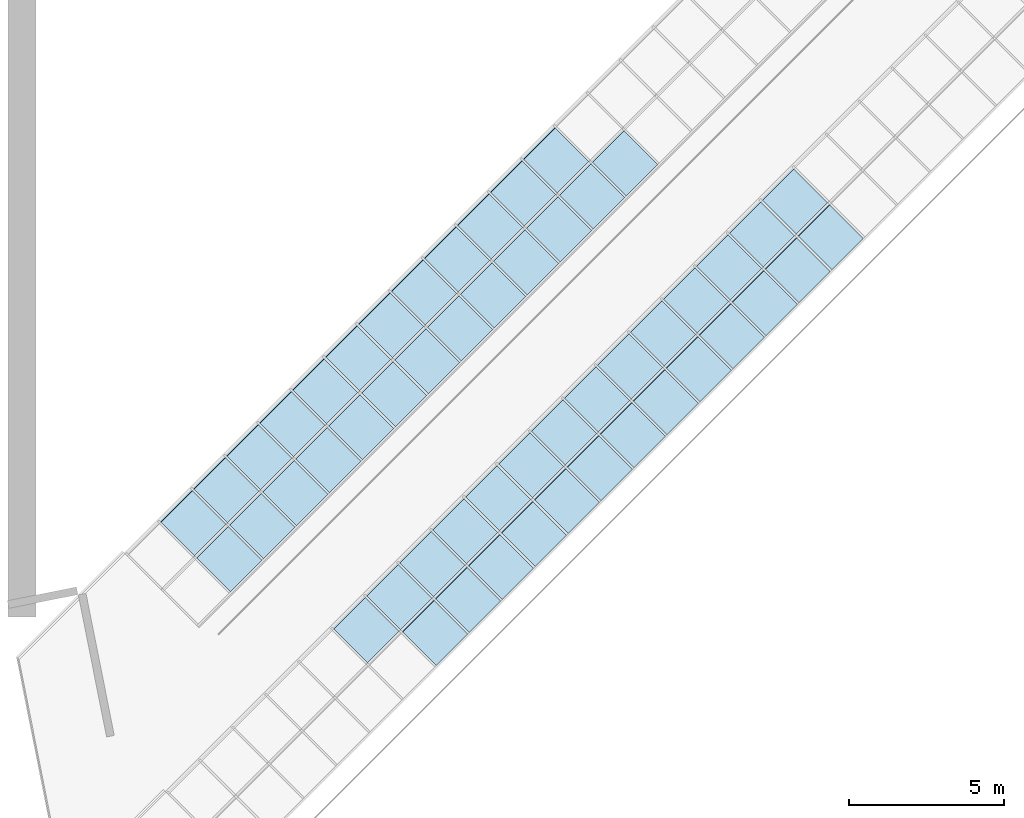
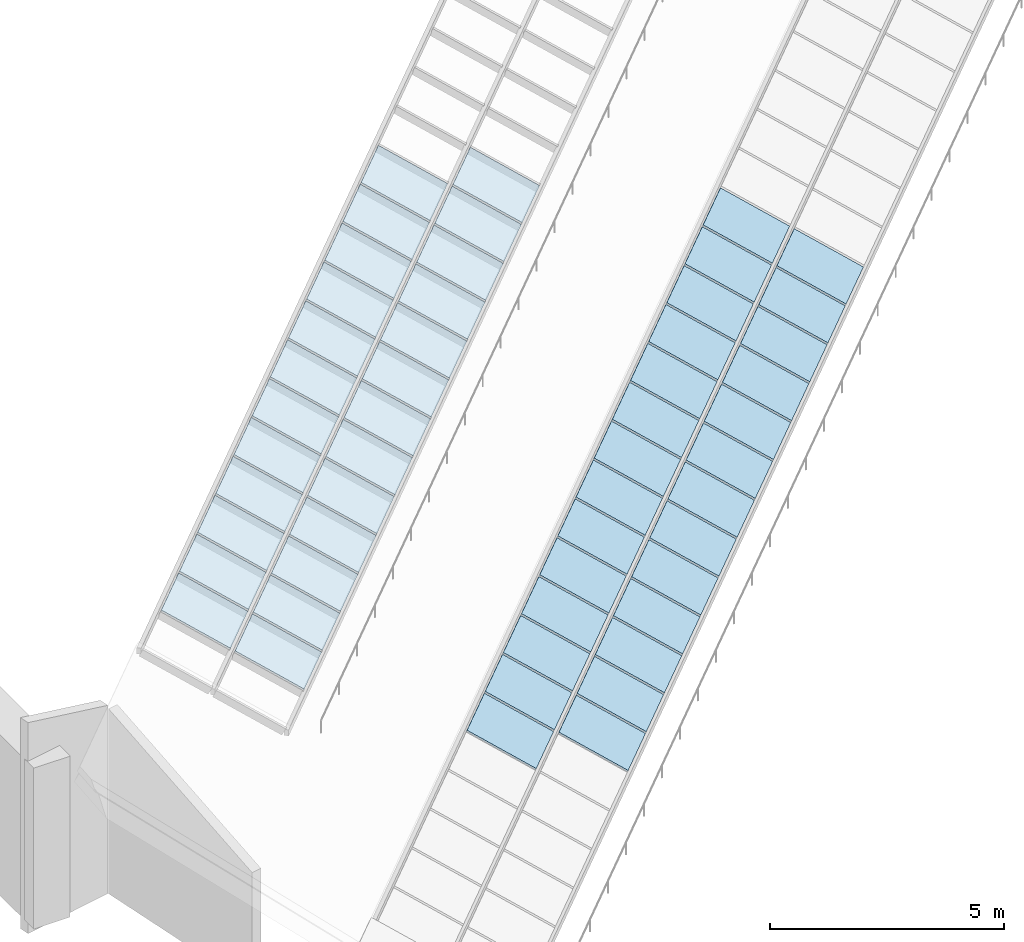
# One storey, part 4 of 7: 52 plates, 2 elements without a shape of their own.
"""IFC4 building model written with IfcOpenShell, lengths in metres."""

import ifcopenshell
import ifcopenshell.guid

model = None  # the IFC model being written
_history = None  # IfcOwnerHistory: only IFC2X3 demands one
_inside = {}  # id of a spatial element -> (the spatial element, [elements in it])
_under = {}  # id of a project, library or spatial element -> (it, [spatial elements below it])
_declared = {}  # id of a project -> (the project, [libraries it declares])
_typed = {}  # id of a type object -> (the type object, [elements of that type])
_made_of = {}  # id of a material, layer set ... -> (it, [elements and type objects made of it])


def new_model(schema):
    """Start an empty IFC model of exactly this schema.

    Asked for "IFC4X3", IfcOpenShell would pick the latest addendum, in which some entities
    have other attributes; the version numbers below select the first issue.
    IFC2X3 requires an IfcOwnerHistory on every rooted entity: one is made here for all.
    """
    global model, _history
    if schema == "IFC4X3":
        model = ifcopenshell.file(schema_version=(4, 3, 0, 0))
    else:
        model = ifcopenshell.file(schema=schema)
    _inside.clear()
    _under.clear()
    _declared.clear()
    _typed.clear()
    _made_of.clear()
    _history = None
    if model.schema == "IFC2X3":
        org = make("IfcOrganization", Name="unknown")
        user = make(
            "IfcPersonAndOrganization",
            ThePerson=make("IfcPerson", FamilyName="unknown"),
            TheOrganization=org,
        )
        app = make(
            "IfcApplication",
            ApplicationDeveloper=org,
            Version="unknown",
            ApplicationFullName="unknown",
            ApplicationIdentifier="unknown",
        )
        _history = make(
            "IfcOwnerHistory",
            OwningUser=user,
            OwningApplication=app,
            ChangeAction="ADDED",
            CreationDate=0,
        )
    return model


def make(cls, **values):
    """One entity of the class cls with the attributes given. An attribute that is None is left unset."""
    return model.create_entity(
        cls, **{name: value for name, value in values.items() if value is not None}
    )


def rooted(cls, **values):
    """An entity with a GlobalId (a new one), such as an element, a storey or a relation."""
    return make(cls, GlobalId=ifcopenshell.guid.new(), OwnerHistory=_history, **values)


def si_unit(unit_type, name, prefix=None):
    """IfcSIUnit, for example si_unit("LENGTHUNIT", "METRE", prefix="MILLI")."""
    return make("IfcSIUnit", UnitType=unit_type, Prefix=prefix, Name=name)


def assignment(units):
    """IfcUnitAssignment: the units of a project."""
    return None if units is None else make("IfcUnitAssignment", Units=units)


def point(xyz):
    """IfcCartesianPoint."""
    return None if xyz is None else make("IfcCartesianPoint", Coordinates=xyz)


def direction(xyz):
    """IfcDirection."""
    return None if xyz is None else make("IfcDirection", DirectionRatios=xyz)


def frame(location, z_axis=None, x_axis=None):
    """IfcAxis2Placement3D, a coordinate frame: its origin and axes. An axis left out is left unset."""
    return make(
        "IfcAxis2Placement3D",
        Location=point(location),
        Axis=direction(z_axis),
        RefDirection=direction(x_axis),
    )


def origin():
    """The frame at (0, 0, 0) with its axes left unset."""
    return frame((0.0, 0.0, 0.0))


def place(relative_to, where):
    """IfcLocalPlacement: puts the frame where relative to a parent placement (None: the world)."""
    return make(
        "IfcLocalPlacement", PlacementRelTo=relative_to, RelativePlacement=where
    )


def context(
    kind, dimensions, precision=None, world=None, true_north=None, identifier=None
):
    """IfcGeometricRepresentationContext, for example the 3D "Model" context."""
    return make(
        "IfcGeometricRepresentationContext",
        ContextIdentifier=identifier,
        ContextType=kind,
        CoordinateSpaceDimension=dimensions,
        Precision=precision,
        WorldCoordinateSystem=world,
        TrueNorth=true_north,
    )


def subcontext(parent, identifier, kind, view, scale=None):
    """IfcGeometricRepresentationSubContext, for example "Body" below "Model"."""
    return make(
        "IfcGeometricRepresentationSubContext",
        ContextIdentifier=identifier,
        ContextType=kind,
        ParentContext=parent,
        TargetScale=scale,
        TargetView=view,
    )


def project(units=None, contexts=None):
    """IfcProject with its units and contexts."""
    return rooted(
        "IfcProject",
        Name="project",
        RepresentationContexts=contexts,
        UnitsInContext=assignment(units),
    )


def spatial(cls, under=None, at=None, **own):
    """A site, building, storey or space (cls), placed at a placement, below another one or the project."""
    s = rooted(cls, ObjectPlacement=at, **own)
    if under is not None:
        _under.setdefault(under.id(), (under, []))[1].append(s)
    return s


def polyline(points):
    """IfcPolyline through the points."""
    return make("IfcPolyline", Points=[point(p) for p in points])


def outline(outer, holes=None, kind="AREA"):
    """IfcArbitraryClosedProfileDef: a profile drawn as a closed curve; with holes, ...WithVoids."""
    if holes is None:
        return make("IfcArbitraryClosedProfileDef", ProfileType=kind, OuterCurve=outer)
    return make(
        "IfcArbitraryProfileDefWithVoids",
        ProfileType=kind,
        OuterCurve=outer,
        InnerCurves=holes,
    )


def extrude(swept, where, along, depth):
    """IfcExtrudedAreaSolid: the profile swept, set in the frame where, extruded along a direction by depth."""
    return make(
        "IfcExtrudedAreaSolid",
        SweptArea=swept,
        Position=where,
        ExtrudedDirection=direction(along),
        Depth=depth,
    )


def shape(context_of_items, identifier, shape_type, items):
    """IfcShapeRepresentation: the items that make up one representation, for example the "Body"."""
    return make(
        "IfcShapeRepresentation",
        ContextOfItems=context_of_items,
        RepresentationIdentifier=identifier,
        RepresentationType=shape_type,
        Items=items,
    )


def material(Name=None, Category=None):
    """IfcMaterial."""
    return make("IfcMaterial", Name=Name, Category=Category)


def layer(
    of_material, thickness, ventilated=None, Name=None, Category=None, Priority=None
):
    """IfcMaterialLayer: one layer of a wall or slab, of a material (None: an air gap)."""
    return make(
        "IfcMaterialLayer",
        Material=of_material,
        LayerThickness=thickness,
        IsVentilated=ventilated,
        Name=Name,
        Category=Category,
        Priority=Priority,
    )


def layer_set(layers, Name=None):
    """IfcMaterialLayerSet."""
    return make("IfcMaterialLayerSet", MaterialLayers=layers, LayerSetName=Name)


def made_of(thing, what):
    """Note that an element or type object is made of a material, layer set ...; save() writes the relation."""
    if what is not None:
        _made_of.setdefault(what.id(), (what, []))[1].append(thing)
    return thing


def type_object(cls, material=None, **own):
    """A type object (cls), such as IfcWallType, which elements share."""
    return made_of(rooted(cls, **own), material)


def element(
    cls,
    number,
    at=None,
    inside=None,
    cuts=None,
    type_object=None,
    material=None,
    context=None,
    identifier="Body",
    shape_type=None,
    held_by="IfcProductDefinitionShape",
    body=None,
    shapes=None,
    **own,
):
    """One element of the class cls, such as IfcWall. Its Tag is "e" and its number.

    at: its placement. inside: the storey or other place that contains it. cuts: it is an
    opening in that element (IfcRelVoidsElement). A single representation is given by context,
    identifier, shape_type and body (its items); several are given by shapes. held_by: the class
    of the entity that holds the representations. save() writes the other relations.
    """
    e = rooted(cls, Tag="e%d" % number, ObjectPlacement=at, **own)
    if body is not None:
        shapes = [shape(context, identifier, shape_type, body)]
    if shapes is not None:
        e.Representation = make(held_by, Representations=shapes)
    if inside is not None:
        _inside.setdefault(inside.id(), (inside, []))[1].append(e)
    if cuts is not None:
        rooted(
            "IfcRelVoidsElement", RelatingBuildingElement=cuts, RelatedOpeningElement=e
        )
    if type_object is not None:
        _typed.setdefault(type_object.id(), (type_object, []))[1].append(e)
    return made_of(e, material)


def aggregate(whole, parts):
    """IfcRelAggregates: a whole, such as a stair, and the parts it consists of."""
    return rooted("IfcRelAggregates", RelatingObject=whole, RelatedObjects=parts)


def save(model, path):
    """Write the relations noted so far, then the file.

    IfcRelAggregates (storeys below a building ...), IfcRelContainedInSpatialStructure (elements
    in a storey), IfcRelDefinesByType, IfcRelAssociatesMaterial and IfcRelDeclares: one each for
    every whole, place, type object, material and project.
    """
    for whole, parts in _under.values():
        aggregate(whole, parts)
    for where, things in _inside.values():
        rooted(
            "IfcRelContainedInSpatialStructure",
            RelatedElements=things,
            RelatingStructure=where,
        )
    for kind, things in _typed.values():
        rooted("IfcRelDefinesByType", RelatedObjects=things, RelatingType=kind)
    for what, things in _made_of.values():
        rooted("IfcRelAssociatesMaterial", RelatedObjects=things, RelatingMaterial=what)
    for by, libraries in _declared.values():
        rooted("IfcRelDeclares", RelatingContext=by, RelatedDefinitions=libraries)
    model.write(path)


model = new_model("IFC4")

# Units and contexts
model_context = context("Model", 3, precision=1e-05, world=origin(), true_north=direction((0.0, 1.0)))
body_context = subcontext(model_context, "Body", "Model", "MODEL_VIEW")
ifc_project = project(units=[si_unit("LENGTHUNIT", "METRE"), si_unit("AREAUNIT", "SQUARE_METRE"), si_unit("VOLUMEUNIT", "CUBIC_METRE"), si_unit("PLANEANGLEUNIT", "RADIAN"), si_unit("MASSUNIT", "GRAM", prefix="KILO")], contexts=[model_context])

# Site, building, storey
site_placement = place(None, origin())
site = spatial("IfcSite", under=ifc_project, at=site_placement, CompositionType="ELEMENT")
building_placement = place(site_placement, origin())
building = spatial("IfcBuilding", under=site, at=building_placement, Name="Hunhe Ridgeline Campus", CompositionType="ELEMENT")
storey_placement = place(building_placement, frame((0.0, 0.0, 315.60009765625)))
storey = spatial("IfcBuildingStorey", under=building, at=storey_placement, Name="L81 Crown", CompositionType="ELEMENT", Elevation=315.60009765625)

# Curtain wall, plates
ifc_material_1 = material(Name="Aluminium 6063", Category="aluminium")
curtain_wall_type = type_object("IfcCurtainWallType", Name="Curtain wall CW-6", PredefinedType="NOTDEFINED", material=ifc_material_1)
curtain_wall_1_placement = place(storey_placement, origin())
curtain_wall_1 = element("IfcCurtainWall", 1, at=curtain_wall_1_placement, inside=storey, type_object=curtain_wall_type, Name="Rooflight 3", PredefinedType="NOTDEFINED")
ifc_material_2 = material(Name="Low-e laminated glass", Category="glass")
ifc_layer = layer(ifc_material_2, 0.0400390625)
ifc_layer_set = layer_set([ifc_layer], Name="Rooflight glass panel 40 low-e laminated")
plate_type = type_object("IfcPlateType", Name="Rooflight glass panel 40 low-e laminated", PredefinedType="CURTAIN_PANEL", material=ifc_layer_set)
plate_1_placement = place(storey_placement, frame((27.512939453125, 65.775634765625, 0.261474609375), z_axis=(0.301479245877, -0.301515643227, 0.90454329979), x_axis=(-0.639608700975, 0.639608701766, 0.426381775248)))
plate_1 = element("IfcPlate", 2, at=plate_1_placement, type_object=plate_type, Name="Rooflight panel 1.23", PredefinedType="CURTAIN_PANEL", context=body_context, shape_type="SweptSolid", body=[
    extrude(outline(polyline([(0.0, 0.0), (1.6936340105324015, -2.110128478199913e-17), (1.6937901642007342, 1.4299232115205895), (-7.998715023660452e-10, 1.4300958431175164), (0.0, 0.0)])), origin(), (0.0, 0.0, -1.0), 0.0400390625),
])
plate_2_placement = place(storey_placement, frame((26.4521484375, 64.715087890625, 0.261474609375), z_axis=(0.301547745403, -0.301474942954, 0.904534032535), x_axis=(-0.639602149067, 0.639602149067, 0.426401432711)))
plate_2 = element("IfcPlate", 3, at=plate_2_placement, type_object=plate_type, Name="Rooflight panel 1.24", PredefinedType="CURTAIN_PANEL", context=body_context, shape_type="SweptSolid", body=[
    extrude(outline(polyline([(0.0, 0.0), (1.6936340109323371, 3.6469850576981155e-17), (1.6934778580639125, 1.4299232119943703), (-0.00015615286842451948, 1.4299232119943701), (0.0, 0.0)])), origin(), (0.0, 0.0, -1.0), 0.0400390625),
])
plate_3_placement = place(storey_placement, frame((25.3916015625, 63.654296875, 0.261474609375), z_axis=(0.301474942954, -0.301547745403, 0.904534032535), x_axis=(-0.639602149067, 0.639602149067, 0.426401432711)))
plate_3 = element("IfcPlate", 4, at=plate_3_placement, type_object=plate_type, Name="Rooflight panel 1.25", PredefinedType="CURTAIN_PANEL", context=body_context, shape_type="SweptSolid", body=[
    extrude(outline(polyline([(0.0, 0.0), (1.6936340109323371, -3.6469850576981155e-17), (1.6937901638007615, 1.4299232119943701), (0.00015615286842451948, 1.4299232119943701), (0.0, 0.0)])), origin(), (0.0, 0.0, -1.0), 0.0400390625),
])
plate_4_placement = place(storey_placement, frame((24.3310546875, 62.59375, 0.261474609375), z_axis=(0.301515643227, -0.301479245877, 0.90454329979), x_axis=(-0.639680766185, 0.639536628329, 0.426381775406)))
plate_4 = element("IfcPlate", 5, at=plate_4_placement, type_object=plate_type, Name="Rooflight panel 1.26", PredefinedType="CURTAIN_PANEL", context=body_context, shape_type="SweptSolid", body=[
    extrude(outline(polyline([(0.0, 0.0), (1.6937901737979375, 9.269928574751063e-17), (1.6937797583282785, 1.4299232200089778), (0.0001457565923979054, 1.430095835689698), (0.0, 0.0)])), origin(), (0.0, 0.0, -1.0), 0.0400390625),
])
plate_5_placement = place(storey_placement, frame((23.270263671875, 61.532958984375, 0.261474609375), z_axis=(0.301474942954, -0.301547745403, 0.904534032535), x_axis=(-0.639602149067, 0.639602149067, 0.426401432711)))
plate_5 = element("IfcPlate", 6, at=plate_5_placement, type_object=plate_type, Name="Rooflight panel 1.27", PredefinedType="CURTAIN_PANEL", context=body_context, shape_type="SweptSolid", body=[
    extrude(outline(polyline([(0.0, 0.0), (1.6936340109323371, -3.6469850576981155e-17), (1.6937901638007615, 1.4299232119943701), (0.00015615286842451948, 1.4299232119943701), (0.0, 0.0)])), origin(), (0.0, 0.0, -1.0), 0.0400390625),
])
plate_6_placement = place(storey_placement, frame((22.209716796875, 60.472412109375, 0.261474609375), z_axis=(0.301511344578, -0.301511344578, 0.904534033733), x_axis=(-0.639602149067, 0.639602149067, 0.426401432711)))
plate_6 = element("IfcPlate", 7, at=plate_6_placement, type_object=plate_type, Name="Rooflight panel 1.28", PredefinedType="CURTAIN_PANEL", context=body_context, shape_type="SweptSolid", body=[
    extrude(outline(polyline([(0.0, 0.0), (1.6936340109323371, 0.0), (1.693634010932337, 1.4300958435911524), (0.0, 1.4300958435911524), (0.0, 0.0)])), origin(), (0.0, 0.0, -1.0), 0.0400390625),
])
plate_7_placement = place(storey_placement, frame((21.14892578125, 59.41162109375, 0.261474609375), z_axis=(0.301474942954, -0.301547745403, 0.904534032535), x_axis=(-0.639602149067, 0.639602149067, 0.426401432711)))
plate_7 = element("IfcPlate", 8, at=plate_7_placement, type_object=plate_type, Name="Rooflight panel 1.29", PredefinedType="CURTAIN_PANEL", context=body_context, shape_type="SweptSolid", body=[
    extrude(outline(polyline([(0.0, 0.0), (1.6936340109323371, -3.6469850576981155e-17), (1.6937901638007615, 1.4299232119943701), (0.00015615286842451948, 1.4299232119943701), (0.0, 0.0)])), origin(), (0.0, 0.0, -1.0), 0.0400390625),
])
plate_8_placement = place(storey_placement, frame((20.08837890625, 58.35107421875, 0.261474609375), z_axis=(0.301511344578, -0.301511344578, 0.904534033733), x_axis=(-0.639602149067, 0.639602149067, 0.426401432711)))
plate_8 = element("IfcPlate", 9, at=plate_8_placement, type_object=plate_type, Name="Rooflight panel 1.30", PredefinedType="CURTAIN_PANEL", context=body_context, shape_type="SweptSolid", body=[
    extrude(outline(polyline([(0.0, 0.0), (1.6936340109323371, 0.0), (1.693634010932337, 1.4300958435911524), (0.0, 1.4300958435911524), (0.0, 0.0)])), origin(), (0.0, 0.0, -1.0), 0.0400390625),
])
plate_9_placement = place(storey_placement, frame((19.027587890625, 57.290283203125, 0.261474609375), z_axis=(0.301483547543, -0.301483547543, 0.904552564046), x_axis=(-0.63954317933, 0.639687317978, 0.426362119554)))
plate_9 = element("IfcPlate", 10, at=plate_9_placement, type_object=plate_type, Name="Rooflight panel 1.31", PredefinedType="CURTAIN_PANEL", context=body_context, shape_type="SweptSolid", body=[
    extrude(outline(polyline([(0.0, 0.0), (1.6937901741978365, -3.077778917143226e-17), (1.6936444168056752, 1.4300958361632525), (-0.00014572220206188202, 1.4297505691820445), (0.0, 0.0)])), origin(), (0.0, 0.0, -1.0), 0.0400390625),
])
plate_10_placement = place(storey_placement, frame((17.967041015625, 56.229736328125, 0.261474609375), z_axis=(0.301511344578, -0.301511344578, 0.904534033733), x_axis=(-0.639602149067, 0.639602149067, 0.426401432711)))
plate_10 = element("IfcPlate", 11, at=plate_10_placement, type_object=plate_type, Name="Rooflight panel 1.32", PredefinedType="CURTAIN_PANEL", context=body_context, shape_type="SweptSolid", body=[
    extrude(outline(polyline([(0.0, 0.0), (1.6936340109323371, 0.0), (1.693634010932337, 1.4300958435911524), (0.0, 1.4300958435911524), (0.0, 0.0)])), origin(), (0.0, 0.0, -1.0), 0.0400390625),
])
plate_11_placement = place(storey_placement, frame((16.90625, 55.169189453125, 0.261474609375), z_axis=(0.301547745403, -0.301474942954, 0.904534032535), x_axis=(-0.639602149067, 0.639602149067, 0.426401432711)))
plate_11 = element("IfcPlate", 12, at=plate_11_placement, type_object=plate_type, Name="Rooflight panel 1.33", PredefinedType="CURTAIN_PANEL", context=body_context, shape_type="SweptSolid", body=[
    extrude(outline(polyline([(0.0, 0.0), (1.6936340109323371, 3.6469850576981155e-17), (1.6934778580639125, 1.4299232119943703), (-0.00015615286842451948, 1.4299232119943701), (0.0, 0.0)])), origin(), (0.0, 0.0, -1.0), 0.0400390625),
])
plate_12_placement = place(storey_placement, frame((15.845703125, 54.1083984375, 0.261474609375), z_axis=(0.301511344578, -0.301511344578, 0.904534033733), x_axis=(-0.639602149067, 0.639602149067, 0.426401432711)))
plate_12 = element("IfcPlate", 13, at=plate_12_placement, type_object=plate_type, Name="Rooflight panel 1.34", PredefinedType="CURTAIN_PANEL", context=body_context, shape_type="SweptSolid", body=[
    extrude(outline(polyline([(0.0, 0.0), (1.6936340109323371, 0.0), (1.693634010932337, 1.4300958435911524), (0.0, 1.4300958435911524), (0.0, 0.0)])), origin(), (0.0, 0.0, -1.0), 0.0400390625),
])
plate_13_placement = place(storey_placement, frame((14.784912109375, 53.0478515625, 0.261474609375), z_axis=(0.301547745403, -0.301474942954, 0.904534032535), x_axis=(-0.639602149067, 0.639602149067, 0.426401432711)))
plate_13 = element("IfcPlate", 14, at=plate_13_placement, type_object=plate_type, Name="Rooflight panel 1.35", PredefinedType="CURTAIN_PANEL", context=body_context, shape_type="SweptSolid", body=[
    extrude(outline(polyline([(0.0, 0.0), (1.6936340109323371, 3.6469850576981155e-17), (1.6934778580639125, 1.4299232119943703), (-0.00015615286842451948, 1.4299232119943701), (0.0, 0.0)])), origin(), (0.0, 0.0, -1.0), 0.0400390625),
])
plate_14_placement = place(storey_placement, frame((26.35888671875, 66.9296875, 1.03076171875), z_axis=(0.301515643227, -0.301479245877, 0.90454329979), x_axis=(-0.639608701766, 0.639608700975, 0.426381775248)))
plate_14 = element("IfcPlate", 15, at=plate_14_placement, type_object=plate_type, Name="Rooflight panel 2.23", PredefinedType="CURTAIN_PANEL", context=body_context, shape_type="SweptSolid", body=[
    extrude(outline(polyline([(0.0, 0.0), (1.6936340105324015, 2.110128478199913e-17), (1.6936340113322728, 1.4300958431175164), (-0.00015615366833288125, 1.4299232115205898), (0.0, 0.0)])), origin(), (0.0, 0.0, -1.0), 0.0400390625),
])
plate_15_placement = place(storey_placement, frame((25.29833984375, 65.868896484375, 1.03076171875), z_axis=(0.301474942954, -0.301547745403, 0.904534032535), x_axis=(-0.639602149067, 0.639602149067, 0.426401432711)))
plate_15 = element("IfcPlate", 16, at=plate_15_placement, type_object=plate_type, Name="Rooflight panel 2.24", PredefinedType="CURTAIN_PANEL", context=body_context, shape_type="SweptSolid", body=[
    extrude(outline(polyline([(0.0, 0.0), (1.6936340109323371, -3.6469850576981155e-17), (1.6937901638007615, 1.4299232119943701), (0.00015615286842451948, 1.4299232119943701), (0.0, 0.0)])), origin(), (0.0, 0.0, -1.0), 0.0400390625),
])
plate_16_placement = place(storey_placement, frame((24.237548828125, 64.808349609375, 1.03076171875), z_axis=(0.301547745403, -0.301474942954, 0.904534032535), x_axis=(-0.639602149067, 0.639602149067, 0.426401432711)))
plate_16 = element("IfcPlate", 17, at=plate_16_placement, type_object=plate_type, Name="Rooflight panel 2.25", PredefinedType="CURTAIN_PANEL", context=body_context, shape_type="SweptSolid", body=[
    extrude(outline(polyline([(0.0, 0.0), (1.6936340109323371, 3.6469850576981155e-17), (1.6934778580639125, 1.4299232119943703), (-0.00015615286842451948, 1.4299232119943701), (0.0, 0.0)])), origin(), (0.0, 0.0, -1.0), 0.0400390625),
])
plate_17_placement = place(storey_placement, frame((23.177001953125, 63.74755859375, 1.03076171875), z_axis=(0.301479245877, -0.301515643227, 0.90454329979), x_axis=(-0.639536628329, 0.639680766185, 0.426381775406)))
plate_17 = element("IfcPlate", 18, at=plate_17_placement, type_object=plate_type, Name="Rooflight panel 2.26", PredefinedType="CURTAIN_PANEL", context=body_context, shape_type="SweptSolid", body=[
    extrude(outline(polyline([(0.0, 0.0), (1.6937901737979375, -9.269928574751063e-17), (1.6936444172055396, 1.4300958356896978), (1.041546965907525e-05, 1.4299232200089778), (0.0, 0.0)])), origin(), (0.0, 0.0, -1.0), 0.0400390625),
])
plate_18_placement = place(storey_placement, frame((22.1162109375, 62.68701171875, 1.03076171875), z_axis=(0.301547745403, -0.301474942954, 0.904534032535), x_axis=(-0.639602149067, 0.639602149067, 0.426401432711)))
plate_18 = element("IfcPlate", 19, at=plate_18_placement, type_object=plate_type, Name="Rooflight panel 2.27", PredefinedType="CURTAIN_PANEL", context=body_context, shape_type="SweptSolid", body=[
    extrude(outline(polyline([(0.0, 0.0), (1.6936340109323371, 3.6469850576981155e-17), (1.6934778580639125, 1.4299232119943703), (-0.00015615286842451948, 1.4299232119943701), (0.0, 0.0)])), origin(), (0.0, 0.0, -1.0), 0.0400390625),
])
plate_19_placement = place(storey_placement, frame((21.0556640625, 61.62646484375, 1.03076171875), z_axis=(0.301511344578, -0.301511344578, 0.904534033733), x_axis=(-0.639602149067, 0.639602149067, 0.426401432711)))
plate_19 = element("IfcPlate", 20, at=plate_19_placement, type_object=plate_type, Name="Rooflight panel 2.28", PredefinedType="CURTAIN_PANEL", context=body_context, shape_type="SweptSolid", body=[
    extrude(outline(polyline([(0.0, 0.0), (1.6936340109323371, 0.0), (1.693634010932337, 1.4300958435911524), (0.0, 1.4300958435911524), (0.0, 0.0)])), origin(), (0.0, 0.0, -1.0), 0.0400390625),
])
plate_20_placement = place(storey_placement, frame((19.994873046875, 60.565673828125, 1.03076171875), z_axis=(0.301547745403, -0.301474942954, 0.904534032535), x_axis=(-0.639602149067, 0.639602149067, 0.426401432711)))
plate_20 = element("IfcPlate", 21, at=plate_20_placement, type_object=plate_type, Name="Rooflight panel 2.29", PredefinedType="CURTAIN_PANEL", context=body_context, shape_type="SweptSolid", body=[
    extrude(outline(polyline([(0.0, 0.0), (1.6936340109323371, 3.6469850576981155e-17), (1.6934778580639125, 1.4299232119943703), (-0.00015615286842451948, 1.4299232119943701), (0.0, 0.0)])), origin(), (0.0, 0.0, -1.0), 0.0400390625),
])
plate_21_placement = place(storey_placement, frame((18.934326171875, 59.505126953125, 1.03076171875), z_axis=(0.301511344578, -0.301511344578, 0.904534033733), x_axis=(-0.639602149067, 0.639602149067, 0.426401432711)))
plate_21 = element("IfcPlate", 22, at=plate_21_placement, type_object=plate_type, Name="Rooflight panel 2.30", PredefinedType="CURTAIN_PANEL", context=body_context, shape_type="SweptSolid", body=[
    extrude(outline(polyline([(0.0, 0.0), (1.6936340109323371, 0.0), (1.693634010932337, 1.4300958435911524), (0.0, 1.4300958435911524), (0.0, 0.0)])), origin(), (0.0, 0.0, -1.0), 0.0400390625),
])
plate_22_placement = place(storey_placement, frame((17.873779296875, 58.4443359375, 1.03076171875), z_axis=(0.301483547543, -0.301483547543, 0.904552564046), x_axis=(-0.639687317978, 0.63954317933, 0.426362119554)))
plate_22 = element("IfcPlate", 23, at=plate_22_placement, type_object=plate_type, Name="Rooflight panel 2.31", PredefinedType="CURTAIN_PANEL", context=body_context, shape_type="SweptSolid", body=[
    extrude(outline(polyline([(0.0, 0.0), (1.6937901741978365, 3.077778917143226e-17), (1.6939358963998983, 1.4297505691820447), (0.00014575739216138306, 1.4300958361632525), (0.0, 0.0)])), origin(), (0.0, 0.0, -1.0), 0.0400390625),
])
plate_23_placement = place(storey_placement, frame((16.81298828125, 57.3837890625, 1.03076171875), z_axis=(0.301511344578, -0.301511344578, 0.904534033733), x_axis=(-0.639602149067, 0.639602149067, 0.426401432711)))
plate_23 = element("IfcPlate", 24, at=plate_23_placement, type_object=plate_type, Name="Rooflight panel 2.32", PredefinedType="CURTAIN_PANEL", context=body_context, shape_type="SweptSolid", body=[
    extrude(outline(polyline([(0.0, 0.0), (1.6936340109323371, 0.0), (1.693634010932337, 1.4300958435911524), (0.0, 1.4300958435911524), (0.0, 0.0)])), origin(), (0.0, 0.0, -1.0), 0.0400390625),
])
plate_24_placement = place(storey_placement, frame((15.75244140625, 56.322998046875, 1.03076171875), z_axis=(0.301474942954, -0.301547745403, 0.904534032535), x_axis=(-0.639602149067, 0.639602149067, 0.426401432711)))
plate_24 = element("IfcPlate", 25, at=plate_24_placement, type_object=plate_type, Name="Rooflight panel 2.33", PredefinedType="CURTAIN_PANEL", context=body_context, shape_type="SweptSolid", body=[
    extrude(outline(polyline([(0.0, 0.0), (1.6936340109323371, -3.6469850576981155e-17), (1.6937901638007615, 1.4299232119943701), (0.00015615286842451948, 1.4299232119943701), (0.0, 0.0)])), origin(), (0.0, 0.0, -1.0), 0.0400390625),
])
plate_25_placement = place(storey_placement, frame((14.691650390625, 55.262451171875, 1.03076171875), z_axis=(0.301511344578, -0.301511344578, 0.904534033733), x_axis=(-0.639602149067, 0.639602149067, 0.426401432711)))
plate_25 = element("IfcPlate", 26, at=plate_25_placement, type_object=plate_type, Name="Rooflight panel 2.34", PredefinedType="CURTAIN_PANEL", context=body_context, shape_type="SweptSolid", body=[
    extrude(outline(polyline([(0.0, 0.0), (1.6936340109323371, 0.0), (1.693634010932337, 1.4300958435911524), (0.0, 1.4300958435911524), (0.0, 0.0)])), origin(), (0.0, 0.0, -1.0), 0.0400390625),
])
plate_26_placement = place(storey_placement, frame((13.631103515625, 54.20166015625, 1.03076171875), z_axis=(0.301474942954, -0.301547745403, 0.904534032535), x_axis=(-0.639602149067, 0.639602149067, 0.426401432711)))
plate_26 = element("IfcPlate", 27, at=plate_26_placement, type_object=plate_type, Name="Rooflight panel 2.35", PredefinedType="CURTAIN_PANEL", context=body_context, shape_type="SweptSolid", body=[
    extrude(outline(polyline([(0.0, 0.0), (1.6936340109323371, -3.6469850576981155e-17), (1.6937901638007615, 1.4299232119943701), (0.00015615286842451948, 1.4299232119943701), (0.0, 0.0)])), origin(), (0.0, 0.0, -1.0), 0.0400390625),
])
plate_27_placement = place(storey_placement, frame((12.5703125, 53.14111328125, 1.03076171875), z_axis=(0.301511344578, -0.301511344578, 0.904534033733), x_axis=(-0.639602149067, 0.639602149067, 0.426401432711)))
plate_27 = element("IfcPlate", 28, at=plate_27_placement, type_object=plate_type, Name="Rooflight panel 2.36", PredefinedType="CURTAIN_PANEL", context=body_context, shape_type="SweptSolid", body=[
    extrude(outline(polyline([(0.0, 0.0), (1.6936340109323371, 0.0), (1.693634010932337, 1.4300958435911524), (0.0, 1.4300958435911524), (0.0, 0.0)])), origin(), (0.0, 0.0, -1.0), 0.0400390625),
])
aggregate(curtain_wall_1, [plate_1, plate_2, plate_3, plate_4, plate_5, plate_6, plate_7, plate_8, plate_9, plate_10, plate_11, plate_12, plate_13, plate_14, plate_15, plate_16, plate_17, plate_18, plate_19, plate_20, plate_21, plate_22, plate_23, plate_24, plate_25, plate_26, plate_27])

curtain_wall_2_placement = place(storey_placement, origin())
curtain_wall_2 = element("IfcCurtainWall", 29, at=curtain_wall_2_placement, inside=storey, type_object=curtain_wall_type, Name="Rooflight 4", PredefinedType="NOTDEFINED")
plate_28_placement = place(storey_placement, frame((20.8916015625, 68.154296875, 3.26171875), z_axis=(0.301474942954, -0.301547745403, 0.904534032535), x_axis=(-0.639602149067, 0.639602149067, 0.426401432711)))
plate_28 = element("IfcPlate", 30, at=plate_28_placement, type_object=plate_type, Name="Rooflight panel 1.26", PredefinedType="CURTAIN_PANEL", context=body_context, shape_type="SweptSolid", body=[
    extrude(outline(polyline([(0.0, 0.0), (1.6936340109323371, -3.6469850576981155e-17), (1.6937901638007615, 1.4299232119943701), (0.00015615286842451948, 1.4299232119943701), (0.0, 0.0)])), origin(), (0.0, 0.0, -1.0), 0.0400390625),
])
plate_29_placement = place(storey_placement, frame((19.8310546875, 67.09375, 3.26171875), z_axis=(0.301515643227, -0.301479245877, 0.90454329979), x_axis=(-0.639680766185, 0.639536628329, 0.426381775406)))
plate_29 = element("IfcPlate", 31, at=plate_29_placement, type_object=plate_type, Name="Rooflight panel 1.27", PredefinedType="CURTAIN_PANEL", context=body_context, shape_type="SweptSolid", body=[
    extrude(outline(polyline([(0.0, 0.0), (1.6937901737979375, 9.269928574751063e-17), (1.6937797583282785, 1.4299232200089778), (0.0001457565923979054, 1.430095835689698), (0.0, 0.0)])), origin(), (0.0, 0.0, -1.0), 0.0400390625),
])
plate_30_placement = place(storey_placement, frame((18.770263671875, 66.032958984375, 3.26171875), z_axis=(0.301474942954, -0.301547745403, 0.904534032535), x_axis=(-0.639602149067, 0.639602149067, 0.426401432711)))
plate_30 = element("IfcPlate", 32, at=plate_30_placement, type_object=plate_type, Name="Rooflight panel 1.28", PredefinedType="CURTAIN_PANEL", context=body_context, shape_type="SweptSolid", body=[
    extrude(outline(polyline([(0.0, 0.0), (1.6936340109323371, -3.6469850576981155e-17), (1.6937901638007615, 1.4299232119943701), (0.00015615286842451948, 1.4299232119943701), (0.0, 0.0)])), origin(), (0.0, 0.0, -1.0), 0.0400390625),
])
plate_31_placement = place(storey_placement, frame((17.709716796875, 64.972412109375, 3.26171875), z_axis=(0.301511344578, -0.301511344578, 0.904534033733), x_axis=(-0.639602149067, 0.639602149067, 0.426401432711)))
plate_31 = element("IfcPlate", 33, at=plate_31_placement, type_object=plate_type, Name="Rooflight panel 1.29", PredefinedType="CURTAIN_PANEL", context=body_context, shape_type="SweptSolid", body=[
    extrude(outline(polyline([(0.0, 0.0), (1.6936340109323371, 0.0), (1.693634010932337, 1.4300958435911524), (0.0, 1.4300958435911524), (0.0, 0.0)])), origin(), (0.0, 0.0, -1.0), 0.0400390625),
])
plate_32_placement = place(storey_placement, frame((16.64892578125, 63.91162109375, 3.26171875), z_axis=(0.301474942954, -0.301547745403, 0.904534032535), x_axis=(-0.639602149067, 0.639602149067, 0.426401432711)))
plate_32 = element("IfcPlate", 34, at=plate_32_placement, type_object=plate_type, Name="Rooflight panel 1.30", PredefinedType="CURTAIN_PANEL", context=body_context, shape_type="SweptSolid", body=[
    extrude(outline(polyline([(0.0, 0.0), (1.6936340109323371, -3.6469850576981155e-17), (1.6937901638007615, 1.4299232119943701), (0.00015615286842451948, 1.4299232119943701), (0.0, 0.0)])), origin(), (0.0, 0.0, -1.0), 0.0400390625),
])
plate_33_placement = place(storey_placement, frame((15.58837890625, 62.85107421875, 3.26171875), z_axis=(0.301511344578, -0.301511344578, 0.904534033733), x_axis=(-0.639602149067, 0.639602149067, 0.426401432711)))
plate_33 = element("IfcPlate", 35, at=plate_33_placement, type_object=plate_type, Name="Rooflight panel 1.31", PredefinedType="CURTAIN_PANEL", context=body_context, shape_type="SweptSolid", body=[
    extrude(outline(polyline([(0.0, 0.0), (1.6936340109323371, 0.0), (1.693634010932337, 1.4300958435911524), (0.0, 1.4300958435911524), (0.0, 0.0)])), origin(), (0.0, 0.0, -1.0), 0.0400390625),
])
plate_34_placement = place(storey_placement, frame((14.527587890625, 61.790283203125, 3.26171875), z_axis=(0.301483547543, -0.301483547543, 0.904552564046), x_axis=(-0.63954317933, 0.639687317978, 0.426362119554)))
plate_34 = element("IfcPlate", 36, at=plate_34_placement, type_object=plate_type, Name="Rooflight panel 1.32", PredefinedType="CURTAIN_PANEL", context=body_context, shape_type="SweptSolid", body=[
    extrude(outline(polyline([(0.0, 0.0), (1.6937901741978365, -3.077778917143226e-17), (1.6936444168056752, 1.4300958361632525), (-0.00014572220206188202, 1.4297505691820445), (0.0, 0.0)])), origin(), (0.0, 0.0, -1.0), 0.0400390625),
])
plate_35_placement = place(storey_placement, frame((13.467041015625, 60.729736328125, 3.26171875), z_axis=(0.301511344578, -0.301511344578, 0.904534033733), x_axis=(-0.639602149067, 0.639602149067, 0.426401432711)))
plate_35 = element("IfcPlate", 37, at=plate_35_placement, type_object=plate_type, Name="Rooflight panel 1.33", PredefinedType="CURTAIN_PANEL", context=body_context, shape_type="SweptSolid", body=[
    extrude(outline(polyline([(0.0, 0.0), (1.6936340109323371, 0.0), (1.693634010932337, 1.4300958435911524), (0.0, 1.4300958435911524), (0.0, 0.0)])), origin(), (0.0, 0.0, -1.0), 0.0400390625),
])
plate_36_placement = place(storey_placement, frame((12.40625, 59.669189453125, 3.26171875), z_axis=(0.301547745403, -0.301474942954, 0.904534032535), x_axis=(-0.639602149067, 0.639602149067, 0.426401432711)))
plate_36 = element("IfcPlate", 38, at=plate_36_placement, type_object=plate_type, Name="Rooflight panel 1.34", PredefinedType="CURTAIN_PANEL", context=body_context, shape_type="SweptSolid", body=[
    extrude(outline(polyline([(0.0, 0.0), (1.6936340109323371, 3.6469850576981155e-17), (1.6934778580639125, 1.4299232119943703), (-0.00015615286842451948, 1.4299232119943701), (0.0, 0.0)])), origin(), (0.0, 0.0, -1.0), 0.0400390625),
])
plate_37_placement = place(storey_placement, frame((11.345703125, 58.6083984375, 3.26171875), z_axis=(0.301511344578, -0.301511344578, 0.904534033733), x_axis=(-0.639602149067, 0.639602149067, 0.426401432711)))
plate_37 = element("IfcPlate", 39, at=plate_37_placement, type_object=plate_type, Name="Rooflight panel 1.35", PredefinedType="CURTAIN_PANEL", context=body_context, shape_type="SweptSolid", body=[
    extrude(outline(polyline([(0.0, 0.0), (1.6936340109323371, 0.0), (1.693634010932337, 1.4300958435911524), (0.0, 1.4300958435911524), (0.0, 0.0)])), origin(), (0.0, 0.0, -1.0), 0.0400390625),
])
plate_38_placement = place(storey_placement, frame((10.284912109375, 57.5478515625, 3.26171875), z_axis=(0.301547745403, -0.301474942954, 0.904534032535), x_axis=(-0.639602149067, 0.639602149067, 0.426401432711)))
plate_38 = element("IfcPlate", 40, at=plate_38_placement, type_object=plate_type, Name="Rooflight panel 1.36", PredefinedType="CURTAIN_PANEL", context=body_context, shape_type="SweptSolid", body=[
    extrude(outline(polyline([(0.0, 0.0), (1.6936340109323371, 3.6469850576981155e-17), (1.6934778580639125, 1.4299232119943703), (-0.00015615286842451948, 1.4299232119943701), (0.0, 0.0)])), origin(), (0.0, 0.0, -1.0), 0.0400390625),
])
plate_39_placement = place(storey_placement, frame((9.224365234375, 56.487060546875, 3.26171875), z_axis=(0.301511344578, -0.301511344578, 0.904534033733), x_axis=(-0.639602149067, 0.639602149067, 0.426401432711)))
plate_39 = element("IfcPlate", 41, at=plate_39_placement, type_object=plate_type, Name="Rooflight panel 1.37", PredefinedType="CURTAIN_PANEL", context=body_context, shape_type="SweptSolid", body=[
    extrude(outline(polyline([(0.0, 0.0), (1.6936340109323371, 0.0), (1.693634010932337, 1.4300958435911524), (0.0, 1.4300958435911524), (0.0, 0.0)])), origin(), (0.0, 0.0, -1.0), 0.0400390625),
])
plate_40_placement = place(storey_placement, frame((8.16357421875, 55.426513671875, 3.26171875), z_axis=(0.301547745403, -0.301474942954, 0.904534032535), x_axis=(-0.639602149067, 0.639602149067, 0.426401432711)))
plate_40 = element("IfcPlate", 42, at=plate_40_placement, type_object=plate_type, Name="Rooflight panel 1.38", PredefinedType="CURTAIN_PANEL", context=body_context, shape_type="SweptSolid", body=[
    extrude(outline(polyline([(0.0, 0.0), (1.6936340109323371, 3.6469850576981155e-17), (1.6934778580639125, 1.4299232119943703), (-0.00015615286842451948, 1.4299232119943701), (0.0, 0.0)])), origin(), (0.0, 0.0, -1.0), 0.0400390625),
])
plate_41_placement = place(storey_placement, frame((18.677001953125, 68.24755859375, 4.031005859375), z_axis=(0.301479245877, -0.301515643227, 0.90454329979), x_axis=(-0.639536628329, 0.639680766185, 0.426381775406)))
plate_41 = element("IfcPlate", 43, at=plate_41_placement, type_object=plate_type, Name="Rooflight panel 2.27", PredefinedType="CURTAIN_PANEL", context=body_context, shape_type="SweptSolid", body=[
    extrude(outline(polyline([(0.0, 0.0), (1.6937901737979375, -9.269928574751063e-17), (1.6936444172055396, 1.4300958356896978), (1.041546965907525e-05, 1.4299232200089778), (0.0, 0.0)])), origin(), (0.0, 0.0, -1.0), 0.0400390625),
])
plate_42_placement = place(storey_placement, frame((17.6162109375, 67.18701171875, 4.031005859375), z_axis=(0.301547745403, -0.301474942954, 0.904534032535), x_axis=(-0.639602149067, 0.639602149067, 0.426401432711)))
plate_42 = element("IfcPlate", 44, at=plate_42_placement, type_object=plate_type, Name="Rooflight panel 2.28", PredefinedType="CURTAIN_PANEL", context=body_context, shape_type="SweptSolid", body=[
    extrude(outline(polyline([(0.0, 0.0), (1.6936340109323371, 3.6469850576981155e-17), (1.6934778580639125, 1.4299232119943703), (-0.00015615286842451948, 1.4299232119943701), (0.0, 0.0)])), origin(), (0.0, 0.0, -1.0), 0.0400390625),
])
plate_43_placement = place(storey_placement, frame((16.5556640625, 66.12646484375, 4.031005859375), z_axis=(0.301511344578, -0.301511344578, 0.904534033733), x_axis=(-0.639602149067, 0.639602149067, 0.426401432711)))
plate_43 = element("IfcPlate", 45, at=plate_43_placement, type_object=plate_type, Name="Rooflight panel 2.29", PredefinedType="CURTAIN_PANEL", context=body_context, shape_type="SweptSolid", body=[
    extrude(outline(polyline([(0.0, 0.0), (1.6936340109323371, 0.0), (1.693634010932337, 1.4300958435911524), (0.0, 1.4300958435911524), (0.0, 0.0)])), origin(), (0.0, 0.0, -1.0), 0.0400390625),
])
plate_44_placement = place(storey_placement, frame((15.494873046875, 65.065673828125, 4.031005859375), z_axis=(0.301547745403, -0.301474942954, 0.904534032535), x_axis=(-0.639602149067, 0.639602149067, 0.426401432711)))
plate_44 = element("IfcPlate", 46, at=plate_44_placement, type_object=plate_type, Name="Rooflight panel 2.30", PredefinedType="CURTAIN_PANEL", context=body_context, shape_type="SweptSolid", body=[
    extrude(outline(polyline([(0.0, 0.0), (1.6936340109323371, 3.6469850576981155e-17), (1.6934778580639125, 1.4299232119943703), (-0.00015615286842451948, 1.4299232119943701), (0.0, 0.0)])), origin(), (0.0, 0.0, -1.0), 0.0400390625),
])
plate_45_placement = place(storey_placement, frame((14.434326171875, 64.005126953125, 4.031005859375), z_axis=(0.301511344578, -0.301511344578, 0.904534033733), x_axis=(-0.639602149067, 0.639602149067, 0.426401432711)))
plate_45 = element("IfcPlate", 47, at=plate_45_placement, type_object=plate_type, Name="Rooflight panel 2.31", PredefinedType="CURTAIN_PANEL", context=body_context, shape_type="SweptSolid", body=[
    extrude(outline(polyline([(0.0, 0.0), (1.6936340109323371, 0.0), (1.693634010932337, 1.4300958435911524), (0.0, 1.4300958435911524), (0.0, 0.0)])), origin(), (0.0, 0.0, -1.0), 0.0400390625),
])
plate_46_placement = place(storey_placement, frame((13.373779296875, 62.9443359375, 4.031005859375), z_axis=(0.301483547543, -0.301483547543, 0.904552564046), x_axis=(-0.639687317978, 0.63954317933, 0.426362119554)))
plate_46 = element("IfcPlate", 48, at=plate_46_placement, type_object=plate_type, Name="Rooflight panel 2.32", PredefinedType="CURTAIN_PANEL", context=body_context, shape_type="SweptSolid", body=[
    extrude(outline(polyline([(0.0, 0.0), (1.6937901741978365, 3.077778917143226e-17), (1.6939358963998983, 1.4297505691820447), (0.00014575739216138306, 1.4300958361632525), (0.0, 0.0)])), origin(), (0.0, 0.0, -1.0), 0.0400390625),
])
plate_47_placement = place(storey_placement, frame((12.31298828125, 61.8837890625, 4.031005859375), z_axis=(0.301511344578, -0.301511344578, 0.904534033733), x_axis=(-0.639602149067, 0.639602149067, 0.426401432711)))
plate_47 = element("IfcPlate", 49, at=plate_47_placement, type_object=plate_type, Name="Rooflight panel 2.33", PredefinedType="CURTAIN_PANEL", context=body_context, shape_type="SweptSolid", body=[
    extrude(outline(polyline([(0.0, 0.0), (1.6936340109323371, 0.0), (1.693634010932337, 1.4300958435911524), (0.0, 1.4300958435911524), (0.0, 0.0)])), origin(), (0.0, 0.0, -1.0), 0.0400390625),
])
plate_48_placement = place(storey_placement, frame((11.25244140625, 60.822998046875, 4.031005859375), z_axis=(0.301474942954, -0.301547745403, 0.904534032535), x_axis=(-0.639602149067, 0.639602149067, 0.426401432711)))
plate_48 = element("IfcPlate", 50, at=plate_48_placement, type_object=plate_type, Name="Rooflight panel 2.34", PredefinedType="CURTAIN_PANEL", context=body_context, shape_type="SweptSolid", body=[
    extrude(outline(polyline([(0.0, 0.0), (1.6936340109323371, -3.6469850576981155e-17), (1.6937901638007615, 1.4299232119943701), (0.00015615286842451948, 1.4299232119943701), (0.0, 0.0)])), origin(), (0.0, 0.0, -1.0), 0.0400390625),
])
plate_49_placement = place(storey_placement, frame((10.191650390625, 59.762451171875, 4.031005859375), z_axis=(0.301511344578, -0.301511344578, 0.904534033733), x_axis=(-0.639602149067, 0.639602149067, 0.426401432711)))
plate_49 = element("IfcPlate", 51, at=plate_49_placement, type_object=plate_type, Name="Rooflight panel 2.35", PredefinedType="CURTAIN_PANEL", context=body_context, shape_type="SweptSolid", body=[
    extrude(outline(polyline([(0.0, 0.0), (1.6936340109323371, 0.0), (1.693634010932337, 1.4300958435911524), (0.0, 1.4300958435911524), (0.0, 0.0)])), origin(), (0.0, 0.0, -1.0), 0.0400390625),
])
plate_50_placement = place(storey_placement, frame((9.131103515625, 58.70166015625, 4.031005859375), z_axis=(0.301474942954, -0.301547745403, 0.904534032535), x_axis=(-0.639602149067, 0.639602149067, 0.426401432711)))
plate_50 = element("IfcPlate", 52, at=plate_50_placement, type_object=plate_type, Name="Rooflight panel 2.36", PredefinedType="CURTAIN_PANEL", context=body_context, shape_type="SweptSolid", body=[
    extrude(outline(polyline([(0.0, 0.0), (1.6936340109323371, -3.6469850576981155e-17), (1.6937901638007615, 1.4299232119943701), (0.00015615286842451948, 1.4299232119943701), (0.0, 0.0)])), origin(), (0.0, 0.0, -1.0), 0.0400390625),
])
plate_51_placement = place(storey_placement, frame((8.0703125, 57.64111328125, 4.031005859375), z_axis=(0.301511344578, -0.301511344578, 0.904534033733), x_axis=(-0.639602149067, 0.639602149067, 0.426401432711)))
plate_51 = element("IfcPlate", 53, at=plate_51_placement, type_object=plate_type, Name="Rooflight panel 2.37", PredefinedType="CURTAIN_PANEL", context=body_context, shape_type="SweptSolid", body=[
    extrude(outline(polyline([(0.0, 0.0), (1.6936340109323371, 0.0), (1.693634010932337, 1.4300958435911524), (0.0, 1.4300958435911524), (0.0, 0.0)])), origin(), (0.0, 0.0, -1.0), 0.0400390625),
])
plate_52_placement = place(storey_placement, frame((7.009765625, 56.580322265625, 4.031005859375), z_axis=(0.301474942954, -0.301547745403, 0.904534032535), x_axis=(-0.639602149067, 0.639602149067, 0.426401432711)))
plate_52 = element("IfcPlate", 54, at=plate_52_placement, type_object=plate_type, Name="Rooflight panel 2.38", PredefinedType="CURTAIN_PANEL", context=body_context, shape_type="SweptSolid", body=[
    extrude(outline(polyline([(0.0, 0.0), (1.6936340109323371, -3.6469850576981155e-17), (1.6937901638007615, 1.4299232119943701), (0.00015615286842451948, 1.4299232119943701), (0.0, 0.0)])), origin(), (0.0, 0.0, -1.0), 0.0400390625),
])
aggregate(curtain_wall_2, [plate_28, plate_29, plate_30, plate_31, plate_32, plate_33, plate_34, plate_35, plate_36, plate_37, plate_38, plate_39, plate_40, plate_41, plate_42, plate_43, plate_44, plate_45, plate_46, plate_47, plate_48, plate_49, plate_50, plate_51, plate_52])

save(model, "model.ifc")
